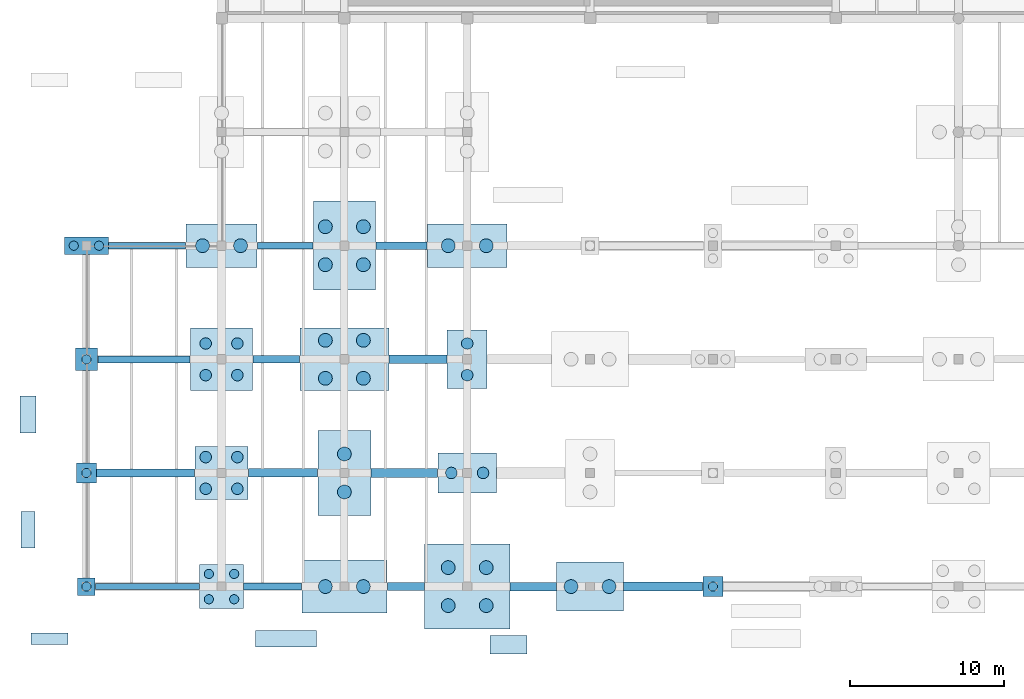
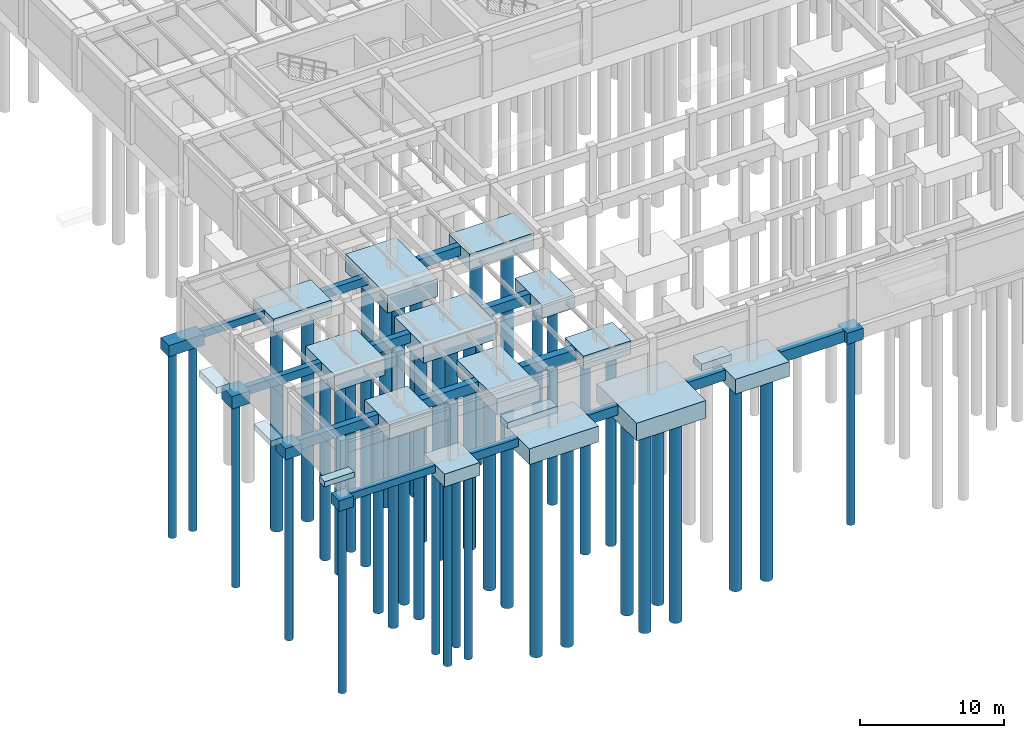
# One storey, part 1 of 40: 44 piles, 37 footings.
"""IFC4 building model written with IfcOpenShell, lengths in metres."""

from ifc_helpers import new_model, si_unit, direction, frame, origin, origin_2d, place, context, subcontext, project, spatial, polyline, rectangle, circle, outline, extrude, material, material_profile, profile_set, type_object, element, save


model = new_model("IFC4")

# Units and contexts
model_context = context("Model", 3, precision=1e-05, world=origin(), true_north=direction((0.0, 1.0)))
body_context = subcontext(model_context, "Body", "Model", "MODEL_VIEW")
ifc_project = project(units=[si_unit("LENGTHUNIT", "METRE"), si_unit("AREAUNIT", "SQUARE_METRE"), si_unit("VOLUMEUNIT", "CUBIC_METRE"), si_unit("PLANEANGLEUNIT", "RADIAN"), si_unit("MASSUNIT", "GRAM", prefix="KILO")], contexts=[model_context])

# Site, building, storey
site_placement = place(None, origin())
site = spatial("IfcSite", under=ifc_project, at=site_placement, CompositionType="ELEMENT")
building_placement = place(site_placement, origin())
building = spatial("IfcBuilding", under=site, at=building_placement, Name="Valkorina Park Police Headquarters", CompositionType="ELEMENT")
storey_placement = place(building_placement, frame((0.0, 0.0, -4.800048828125)))
storey = spatial("IfcBuildingStorey", under=building, at=storey_placement, Name="B01", CompositionType="ELEMENT", Elevation=-4.800048828125)

# Footings
ifc_material_1 = material(Name="Concrete C30/37", Category="concrete")
ifc_material_profile_1 = material_profile(ifc_material_1, rectangle(XDim=0.39990234375, YDim=0.60009765625, at=origin_2d()), Name="GB 400x600")
ifc_profile_set_1 = profile_set([ifc_material_profile_1], Name="Concrete C30/37")
footing_type_1 = type_object("IfcFootingType", Name="FT-GB-01", PredefinedType="FOOTING_BEAM", material=ifc_profile_set_1)
footing_1_placement = place(storey_placement, frame((0.0, 0.0, -0.599853515625)))
element("IfcFooting", 1, at=footing_1_placement, inside=storey, type_object=footing_type_1, Name="Pile Cap Tie Beam GB-01 #1", PredefinedType="FOOTING_BEAM", context=body_context, shape_type="SweptSolid", body=[
    extrude(outline(polyline([(7.35498046875, -0.199951171875), (7.35498046875, 0.199951171875), (0.594970703125, 0.199951171875), (0.594970703125, -0.199951171875), (7.35498046875, -0.199951171875)])), origin(), (0.0, 0.0, 1.0), 0.599853515625),
])
footing_2_placement = place(storey_placement, frame((0.0, 0.0, -0.599853515625)))
element("IfcFooting", 2, at=footing_2_placement, inside=storey, type_object=footing_type_1, Name="Pile Cap Tie Beam GB-01 #31", PredefinedType="FOOTING_BEAM", context=body_context, shape_type="SweptSolid", body=[
    extrude(outline(polyline([(6.455078125, 22.0), (6.455078125, 22.39990234375), (1.445068359375, 22.39990234375), (1.445068359375, 22.0), (6.455078125, 22.0)])), origin(), (0.0, 0.0, 1.0), 0.599853515625),
])
ifc_material_profile_2 = material_profile(ifc_material_1, rectangle(XDim=0.449951171875, YDim=0.699951171875, at=origin_2d()), Name="GB 450x700")
ifc_profile_set_2 = profile_set([ifc_material_profile_2], Name="Concrete C30/37")
footing_type_2 = type_object("IfcFootingType", Name="FT-GB-02", PredefinedType="FOOTING_BEAM", material=ifc_profile_set_2)
footing_3_placement = place(storey_placement, frame((0.0, 0.0, -0.699951171875)))
element("IfcFooting", 3, at=footing_3_placement, inside=storey, type_object=footing_type_2, Name="Pile Cap Tie Beam GB-02 #2", PredefinedType="FOOTING_BEAM", context=body_context, shape_type="SweptSolid", body=[
    extrude(outline(polyline([(14.0048828125, -0.22509765625), (14.0048828125, 0.22509765625), (10.2451171875, 0.22509765625), (10.2451171875, -0.22509765625), (14.0048828125, -0.22509765625)])), origin(), (0.0, 0.0, 1.0), 0.699951171875),
])
footing_4_placement = place(storey_placement, frame((0.0, 0.0, -0.699951171875)))
element("IfcFooting", 4, at=footing_4_placement, inside=storey, type_object=footing_type_2, Name="Pile Cap Tie Beam GB-02 #20", PredefinedType="FOOTING_BEAM", context=body_context, shape_type="SweptSolid", body=[
    extrude(outline(polyline([(6.7548828125, 14.574951171875), (6.7548828125, 15.02490234375), (0.7451171875, 15.02490234375), (0.7451171875, 14.574951171875), (6.7548828125, 14.574951171875)])), origin(), (0.0, 0.0, 1.0), 0.699951171875),
])
footing_5_placement = place(storey_placement, frame((0.0, 0.0, -0.699951171875)))
element("IfcFooting", 5, at=footing_5_placement, inside=storey, type_object=footing_type_2, Name="Pile Cap Tie Beam GB-02 #32", PredefinedType="FOOTING_BEAM", context=body_context, shape_type="SweptSolid", body=[
    extrude(outline(polyline([(14.7548828125, 21.97509765625), (14.7548828125, 22.425048828125), (11.14501953125, 22.425048828125), (11.14501953125, 21.97509765625), (14.7548828125, 21.97509765625)])), origin(), (0.0, 0.0, 1.0), 0.699951171875),
])
ifc_material_profile_3 = material_profile(ifc_material_1, rectangle(XDim=0.5, YDim=0.800048828125, at=origin_2d()), Name="GB 500x800")
ifc_profile_set_3 = profile_set([ifc_material_profile_3], Name="Concrete C30/37")
footing_type_3 = type_object("IfcFootingType", Name="FT-GB-03", PredefinedType="FOOTING_BEAM", material=ifc_profile_set_3)
footing_6_placement = place(storey_placement, frame((0.0, 0.0, -0.800048828125)))
element("IfcFooting", 6, at=footing_6_placement, inside=storey, type_object=footing_type_3, Name="Pile Cap Tie Beam GB-03 #3", PredefinedType="FOOTING_BEAM", context=body_context, shape_type="SweptSolid", body=[
    extrude(outline(polyline([(22.0048828125, -0.25), (22.0048828125, 0.25), (19.594970703125, 0.25), (19.594970703125, -0.25), (22.0048828125, -0.25)])), origin(), (0.0, 0.0, 1.0), 0.800048828125),
])
footing_7_placement = place(storey_placement, frame((0.0, 0.0, -0.800048828125)))
element("IfcFooting", 7, at=footing_7_placement, inside=storey, type_object=footing_type_3, Name="Pile Cap Tie Beam GB-03 #9", PredefinedType="FOOTING_BEAM", context=body_context, shape_type="SweptSolid", body=[
    extrude(outline(polyline([(7.054931640625, 7.14990234375), (7.054931640625, 7.64990234375), (0.669921875, 7.64990234375), (0.669921875, 7.14990234375), (7.054931640625, 7.14990234375)])), origin(), (0.0, 0.0, 1.0), 0.800048828125),
])
footing_8_placement = place(storey_placement, frame((0.0, 0.0, -0.800048828125)))
element("IfcFooting", 8, at=footing_8_placement, inside=storey, type_object=footing_type_3, Name="Pile Cap Tie Beam GB-03 #21", PredefinedType="FOOTING_BEAM", context=body_context, shape_type="SweptSolid", body=[
    extrude(outline(polyline([(13.8798828125, 14.550048828125), (13.8798828125, 15.050048828125), (10.844970703125, 15.050048828125), (10.844970703125, 14.550048828125), (13.8798828125, 14.550048828125)])), origin(), (0.0, 0.0, 1.0), 0.800048828125),
])
footing_9_placement = place(storey_placement, frame((0.0, 0.0, -0.800048828125)))
element("IfcFooting", 9, at=footing_9_placement, inside=storey, type_object=footing_type_3, Name="Pile Cap Tie Beam GB-03 #33", PredefinedType="FOOTING_BEAM", context=body_context, shape_type="SweptSolid", body=[
    extrude(outline(polyline([(22.179931640625, 21.949951171875), (22.179931640625, 22.449951171875), (18.844970703125, 22.449951171875), (18.844970703125, 21.949951171875), (22.179931640625, 21.949951171875)])), origin(), (0.0, 0.0, 1.0), 0.800048828125),
])
ifc_material_2 = material(Name="Concrete C35/45", Category="concrete")
ifc_material_profile_4 = material_profile(ifc_material_2, rectangle(XDim=0.550048828125, YDim=0.85009765625, at=origin_2d()), Name="GB 550x850")
ifc_profile_set_4 = profile_set([ifc_material_profile_4], Name="Concrete C35/45")
footing_type_4 = type_object("IfcFootingType", Name="FT-GB-04", PredefinedType="FOOTING_BEAM", material=ifc_profile_set_4)
footing_10_placement = place(storey_placement, frame((0.0, 0.0, -0.849853515625)))
element("IfcFooting", 10, at=footing_10_placement, inside=storey, type_object=footing_type_4, Name="Pile Cap Tie Beam GB-04 #4", PredefinedType="FOOTING_BEAM", context=body_context, shape_type="SweptSolid", body=[
    extrude(outline(polyline([(30.60498046875, -0.27490234375), (30.60498046875, 0.27490234375), (27.594970703125, 0.27490234375), (27.594970703125, -0.27490234375), (30.60498046875, -0.27490234375)])), origin(), (0.0, 0.0, 1.0), 0.849853515625),
])
footing_11_placement = place(storey_placement, frame((0.0, 0.0, -0.849853515625)))
element("IfcFooting", 11, at=footing_11_placement, inside=storey, type_object=footing_type_4, Name="Pile Cap Tie Beam GB-04 #10", PredefinedType="FOOTING_BEAM", context=body_context, shape_type="SweptSolid", body=[
    extrude(outline(polyline([(15.054931640625, 7.125), (15.054931640625, 7.675048828125), (10.544921875, 7.675048828125), (10.544921875, 7.125), (15.054931640625, 7.125)])), origin(), (0.0, 0.0, 1.0), 0.849853515625),
])
footing_12_placement = place(storey_placement, frame((0.0, 0.0, -0.849853515625)))
element("IfcFooting", 12, at=footing_12_placement, inside=storey, type_object=footing_type_4, Name="Pile Cap Tie Beam GB-04 #22", PredefinedType="FOOTING_BEAM", context=body_context, shape_type="SweptSolid", body=[
    extrude(outline(polyline([(23.47998046875, 14.52490234375), (23.47998046875, 15.074951171875), (19.719970703125, 15.074951171875), (19.719970703125, 14.52490234375), (23.47998046875, 14.52490234375)])), origin(), (0.0, 0.0, 1.0), 0.849853515625),
])
ifc_material_profile_5 = material_profile(ifc_material_2, rectangle(XDim=0.60009765625, YDim=0.949951171875, at=origin_2d()), Name="GB 600x950")
ifc_profile_set_5 = profile_set([ifc_material_profile_5], Name="Concrete C35/45")
footing_type_5 = type_object("IfcFootingType", Name="FT-GB-05", PredefinedType="FOOTING_BEAM", material=ifc_profile_set_5)
footing_13_placement = place(storey_placement, frame((0.0, 0.0, -0.949951171875)))
element("IfcFooting", 13, at=footing_13_placement, inside=storey, type_object=footing_type_5, Name="Pile Cap Tie Beam GB-05 #5", PredefinedType="FOOTING_BEAM", context=body_context, shape_type="SweptSolid", body=[
    extrude(outline(polyline([(40.1298828125, -0.300048828125), (40.1298828125, 0.300048828125), (34.9951171875, 0.300048828125), (34.9951171875, -0.300048828125), (40.1298828125, -0.300048828125)])), origin(), (0.0, 0.0, 1.0), 0.949951171875),
])
footing_14_placement = place(storey_placement, frame((0.0, 0.0, -0.949951171875)))
element("IfcFooting", 14, at=footing_14_placement, inside=storey, type_object=footing_type_5, Name="Pile Cap Tie Beam GB-05 #11", PredefinedType="FOOTING_BEAM", context=body_context, shape_type="SweptSolid", body=[
    extrude(outline(polyline([(22.8798828125, 7.10009765625), (22.8798828125, 7.699951171875), (18.544921875, 7.699951171875), (18.544921875, 7.10009765625), (22.8798828125, 7.10009765625)])), origin(), (0.0, 0.0, 1.0), 0.949951171875),
])
ifc_material_3 = material(Name="Concrete C40/50", Category="concrete")
footing_type_6 = type_object("IfcFootingType", Name="FT-PC-01", PredefinedType="PILE_CAP", material=ifc_material_3)
footing_15_placement = place(storey_placement, frame((0.0, 0.0, -0.89990234375), z_axis=(0.0, 0.0, 1.0), x_axis=(1.0, 0.0, 0.0)))
element("IfcFooting", 15, at=footing_15_placement, inside=storey, type_object=footing_type_6, Name="Pile Cap PC-01 #1", PredefinedType="PILE_CAP", context=body_context, shape_type="SweptSolid", body=[
    extrude(rectangle(XDim=1.14990234375, YDim=1.14990234375, at=origin_2d()), origin(), (0.0, 0.0, 1.0), 0.89990234375),
])
footing_type_7 = type_object("IfcFootingType", Name="FT-PC-02", PredefinedType="PILE_CAP", material=ifc_material_3)
for number, where, z_axis, x_axis, name in (
    (16, (0.0, 7.39990234375, -0.94970703125), (0.0, 0.0, 1.0), (1.0, 0.0, 0.0), "Pile Cap PC-02 #2"),
    (17, (40.800048828125, 0.0, -0.94970703125), (0.0, 0.0, 1.0), (1.0, 0.0, 0.0), "Pile Cap PC-02 #28"),
):
    element("IfcFooting", number, at=place(storey_placement, frame(where, z_axis=z_axis, x_axis=x_axis)), inside=storey, type_object=footing_type_7, Name=name, PredefinedType="PILE_CAP", context=body_context, shape_type="SweptSolid", body=[
        extrude(rectangle(XDim=1.300048828125, YDim=1.300048828125, at=origin_2d()), origin(), (0.0, 0.0, 1.0), 0.949951171875),
    ])
footing_type_8 = type_object("IfcFootingType", Name="FT-PC-03", PredefinedType="PILE_CAP", material=ifc_material_3)
footing_16_placement = place(storey_placement, frame((0.0, 14.800048828125, -1.0498046875), z_axis=(0.0, 0.0, 1.0), x_axis=(1.0, 0.0, 0.0)))
element("IfcFooting", 18, at=footing_16_placement, inside=storey, type_object=footing_type_8, Name="Pile Cap PC-03 #3", PredefinedType="PILE_CAP", context=body_context, shape_type="SweptSolid", body=[
    extrude(rectangle(XDim=1.449951171875, YDim=1.449951171875, at=origin_2d()), origin(), (0.0, 0.0, 1.0), 1.050048828125),
])
footing_type_9 = type_object("IfcFootingType", Name="FT-PC-04", PredefinedType="PILE_CAP", material=ifc_material_3)
footing_17_placement = place(storey_placement, frame((0.0, 22.199951171875, -0.94970703125), z_axis=(0.0, 0.0, 1.0), x_axis=(1.0, 0.0, 0.0)))
element("IfcFooting", 19, at=footing_17_placement, inside=storey, type_object=footing_type_9, Name="Pile Cap PC-04 #4", PredefinedType="PILE_CAP", context=body_context, shape_type="SweptSolid", body=[
    extrude(rectangle(XDim=2.85009765625, YDim=1.14990234375, at=origin_2d()), origin(), (0.0, 0.0, 1.0), 0.949951171875),
])
footing_type_10 = type_object("IfcFootingType", Name="FT-PC-09", PredefinedType="PILE_CAP", material=ifc_material_3)
footing_18_placement = place(storey_placement, frame((8.800048828125, 0.0, -1.10009765625), z_axis=(0.0, 0.0, 1.0), x_axis=(1.0, 0.0, 0.0)))
element("IfcFooting", 20, at=footing_18_placement, inside=storey, type_object=footing_type_10, Name="Pile Cap PC-09 #9", PredefinedType="PILE_CAP", context=body_context, shape_type="SweptSolid", body=[
    extrude(rectangle(XDim=2.85009765625, YDim=2.85009765625, at=origin_2d()), origin(), (0.0, 0.0, 1.0), 1.10009765625),
])
footing_type_11 = type_object("IfcFootingType", Name="FT-PC-10", PredefinedType="PILE_CAP", material=ifc_material_3)
footing_19_placement = place(storey_placement, frame((8.800048828125, 7.39990234375, -1.25), z_axis=(0.0, 0.0, 1.0), x_axis=(1.0, 0.0, 0.0)))
element("IfcFooting", 21, at=footing_19_placement, inside=storey, type_object=footing_type_11, Name="Pile Cap PC-10 #10", PredefinedType="PILE_CAP", context=body_context, shape_type="SweptSolid", body=[
    extrude(rectangle(XDim=3.449951171875, YDim=3.449951171875, at=origin_2d()), origin(), (0.0, 0.0, 1.0), 1.25),
])
footing_type_12 = type_object("IfcFootingType", Name="FT-PC-11", PredefinedType="PILE_CAP", material=ifc_material_3)
footing_20_placement = place(storey_placement, frame((8.800048828125, 14.800048828125, -1.39990234375), z_axis=(0.0, 0.0, 1.0), x_axis=(1.0, 0.0, 0.0)))
element("IfcFooting", 22, at=footing_20_placement, inside=storey, type_object=footing_type_12, Name="Pile Cap PC-11 #11", PredefinedType="PILE_CAP", context=body_context, shape_type="SweptSolid", body=[
    extrude(rectangle(XDim=4.050048828125, YDim=4.050048828125, at=origin_2d()), origin(), (0.0, 0.0, 1.0), 1.39990234375),
])
footing_type_13 = type_object("IfcFootingType", Name="FT-PC-12", PredefinedType="PILE_CAP", material=ifc_material_3)
footing_21_placement = place(storey_placement, frame((8.800048828125, 22.199951171875, -1.19970703125), z_axis=(0.0, 0.0, 1.0), x_axis=(1.0, 0.0, 0.0)))
element("IfcFooting", 23, at=footing_21_placement, inside=storey, type_object=footing_type_13, Name="Pile Cap PC-12 #12", PredefinedType="PILE_CAP", context=body_context, shape_type="SweptSolid", body=[
    extrude(rectangle(XDim=4.64990234375, YDim=2.85009765625, at=origin_2d()), origin(), (0.0, 0.0, 1.0), 1.199951171875),
])
footing_type_14 = type_object("IfcFootingType", Name="FT-PC-14", PredefinedType="PILE_CAP", material=ifc_material_3)
footing_22_placement = place(storey_placement, frame((16.800048828125, 0.0, -1.35009765625), z_axis=(0.0, 0.0, 1.0), x_axis=(1.0, 0.0, 0.0)))
element("IfcFooting", 24, at=footing_22_placement, inside=storey, type_object=footing_type_14, Name="Pile Cap PC-14 #14", PredefinedType="PILE_CAP", context=body_context, shape_type="SweptSolid", body=[
    extrude(rectangle(XDim=5.550048828125, YDim=3.449951171875, at=origin_2d()), origin(), (0.0, 0.0, 1.0), 1.35009765625),
])
footing_type_15 = type_object("IfcFootingType", Name="FT-PC-15", PredefinedType="PILE_CAP", material=ifc_material_3)
footing_23_placement = place(storey_placement, frame((16.800048828125, 7.39990234375, -1.35009765625), z_axis=(0.0, 0.0, 1.0), x_axis=(1.0, 0.0, 0.0)))
element("IfcFooting", 25, at=footing_23_placement, inside=storey, type_object=footing_type_15, Name="Pile Cap PC-15 #15", PredefinedType="PILE_CAP", context=body_context, shape_type="SweptSolid", body=[
    extrude(rectangle(XDim=3.449951171875, YDim=5.550048828125, at=origin_2d()), origin(), (0.0, 0.0, 1.0), 1.35009765625),
])
footing_type_16 = type_object("IfcFootingType", Name="FT-PC-16", PredefinedType="PILE_CAP", material=ifc_material_3)
footing_24_placement = place(storey_placement, frame((16.800048828125, 14.800048828125, -1.5), z_axis=(0.0, 0.0, 1.0), x_axis=(1.0, 0.0, 0.0)))
element("IfcFooting", 26, at=footing_24_placement, inside=storey, type_object=footing_type_16, Name="Pile Cap PC-16 #16", PredefinedType="PILE_CAP", context=body_context, shape_type="SweptSolid", body=[
    extrude(rectangle(XDim=5.800048828125, YDim=4.050048828125, at=origin_2d()), origin(), (0.0, 0.0, 1.0), 1.5),
])
footing_type_17 = type_object("IfcFootingType", Name="FT-PC-17", PredefinedType="PILE_CAP", material=ifc_material_3)
footing_25_placement = place(storey_placement, frame((16.800048828125, 22.199951171875, -1.5), z_axis=(0.0, 0.0, 1.0), x_axis=(1.0, 0.0, 0.0)))
element("IfcFooting", 27, at=footing_25_placement, inside=storey, type_object=footing_type_17, Name="Pile Cap PC-17 #17", PredefinedType="PILE_CAP", context=body_context, shape_type="SweptSolid", body=[
    extrude(rectangle(XDim=4.050048828125, YDim=5.800048828125, at=origin_2d()), origin(), (0.0, 0.0, 1.0), 1.5),
])
footing_type_18 = type_object("IfcFootingType", Name="FT-PC-19", PredefinedType="PILE_CAP", material=ifc_material_3)
footing_26_placement = place(storey_placement, frame((24.800048828125, 0.0, -1.5), z_axis=(0.0, 0.0, 1.0), x_axis=(1.0, 0.0, 0.0)))
element("IfcFooting", 28, at=footing_26_placement, inside=storey, type_object=footing_type_18, Name="Pile Cap PC-19 #19", PredefinedType="PILE_CAP", context=body_context, shape_type="SweptSolid", body=[
    extrude(rectangle(XDim=5.550048828125, YDim=5.550048828125, at=origin_2d()), origin(), (0.0, 0.0, 1.0), 1.5),
])
footing_type_19 = type_object("IfcFootingType", Name="FT-PC-20", PredefinedType="PILE_CAP", material=ifc_material_3)
footing_27_placement = place(storey_placement, frame((24.800048828125, 7.39990234375, -1.14990234375), z_axis=(0.0, 0.0, 1.0), x_axis=(1.0, 0.0, 0.0)))
element("IfcFooting", 29, at=footing_27_placement, inside=storey, type_object=footing_type_19, Name="Pile Cap PC-20 #20", PredefinedType="PILE_CAP", context=body_context, shape_type="SweptSolid", body=[
    extrude(rectangle(XDim=3.800048828125, YDim=2.60009765625, at=origin_2d()), origin(), (0.0, 0.0, 1.0), 1.14990234375),
])
footing_type_20 = type_object("IfcFootingType", Name="FT-PC-21", PredefinedType="PILE_CAP", material=ifc_material_3)
footing_28_placement = place(storey_placement, frame((24.800048828125, 14.800048828125, -1.14990234375), z_axis=(0.0, 0.0, 1.0), x_axis=(1.0, 0.0, 0.0)))
element("IfcFooting", 30, at=footing_28_placement, inside=storey, type_object=footing_type_20, Name="Pile Cap PC-21 #21", PredefinedType="PILE_CAP", context=body_context, shape_type="SweptSolid", body=[
    extrude(rectangle(XDim=2.60009765625, YDim=3.800048828125, at=origin_2d()), origin(), (0.0, 0.0, 1.0), 1.14990234375),
])
footing_type_21 = type_object("IfcFootingType", Name="FT-PC-22", PredefinedType="PILE_CAP", material=ifc_material_3)
footing_29_placement = place(storey_placement, frame((24.800048828125, 22.199951171875, -1.2998046875), z_axis=(0.0, 0.0, 1.0), x_axis=(1.0, 0.0, 0.0)))
element("IfcFooting", 31, at=footing_29_placement, inside=storey, type_object=footing_type_21, Name="Pile Cap PC-22 #22", PredefinedType="PILE_CAP", context=body_context, shape_type="SweptSolid", body=[
    extrude(rectangle(XDim=5.199951171875, YDim=2.85009765625, at=origin_2d()), origin(), (0.0, 0.0, 1.0), 1.300048828125),
])
footing_type_22 = type_object("IfcFootingType", Name="FT-PC-24", PredefinedType="PILE_CAP", material=ifc_material_3)
footing_30_placement = place(storey_placement, frame((32.800048828125, 0.0, -1.25), z_axis=(0.0, 0.0, 1.0), x_axis=(1.0, 0.0, 0.0)))
element("IfcFooting", 32, at=footing_30_placement, inside=storey, type_object=footing_type_22, Name="Pile Cap PC-24 #24", PredefinedType="PILE_CAP", context=body_context, shape_type="SweptSolid", body=[
    extrude(rectangle(XDim=4.35009765625, YDim=3.199951171875, at=origin_2d()), origin(), (0.0, 0.0, 1.0), 1.25),
])
ifc_material_profile_6 = material_profile(ifc_material_2, rectangle(XDim=0.75, YDim=0.449951171875, at=origin_2d()), Name="SF 750x450")
ifc_profile_set_6 = profile_set([ifc_material_profile_6], Name="Concrete C35/45")
footing_type_23 = type_object("IfcFootingType", Name="FT-SF-01", PredefinedType="STRIP_FOOTING", material=ifc_profile_set_6)
footing_31_placement = place(storey_placement, frame((0.0, 0.0, 4.170166015625)))
element("IfcFooting", 33, at=footing_31_placement, inside=storey, type_object=footing_type_23, Name="Grade Apron Strip Footing SF-01 #1", PredefinedType="STRIP_FOOTING", context=body_context, shape_type="SweptSolid", body=[
    extrude(outline(polyline([(-1.199951171875, -3.77490234375), (-1.199951171875, -3.02490234375), (-3.60009765625, -3.02490234375), (-3.60009765625, -3.77490234375), (-1.199951171875, -3.77490234375)])), origin(), (0.0, 0.0, 1.0), 0.449951171875),
])
ifc_material_profile_7 = material_profile(ifc_material_2, rectangle(XDim=0.89990234375, YDim=0.5, at=origin_2d()), Name="SF 900x500")
ifc_profile_set_7 = profile_set([ifc_material_profile_7], Name="Concrete C35/45")
footing_type_24 = type_object("IfcFootingType", Name="FT-SF-02", PredefinedType="STRIP_FOOTING", material=ifc_profile_set_7)
footing_32_placement = place(storey_placement, frame((0.0, 0.0, 4.010009765625)))
element("IfcFooting", 34, at=footing_32_placement, inside=storey, type_object=footing_type_24, Name="Ramp Bearing Strip Footing SF-02 #30", PredefinedType="STRIP_FOOTING", context=body_context, shape_type="SweptSolid", body=[
    extrude(outline(polyline([(-3.35009765625, 2.5), (-3.35009765625, 4.89990234375), (-4.25, 4.89990234375), (-4.25, 2.5), (-3.35009765625, 2.5)])), origin(), (0.0, 0.0, 1.0), 0.5),
])
ifc_material_profile_8 = material_profile(ifc_material_2, rectangle(XDim=1.050048828125, YDim=0.550048828125, at=origin_2d()), Name="SF 1050x550")
ifc_profile_set_8 = profile_set([ifc_material_profile_8], Name="Concrete C35/45")
footing_type_25 = type_object("IfcFootingType", Name="FT-SF-03", PredefinedType="STRIP_FOOTING", material=ifc_profile_set_8)
footing_33_placement = place(storey_placement, frame((0.0, 0.0, 4.070068359375)))
element("IfcFooting", 35, at=footing_33_placement, inside=storey, type_object=footing_type_25, Name="Grade Apron Strip Footing SF-03 #7", PredefinedType="STRIP_FOOTING", context=body_context, shape_type="SweptSolid", body=[
    extrude(outline(polyline([(15.0, -3.925048828125), (15.0, -2.875), (11.0, -2.875), (11.0, -3.925048828125), (15.0, -3.925048828125)])), origin(), (0.0, 0.0, 1.0), 0.550048828125),
])
footing_34_placement = place(storey_placement, frame((0.0, 0.0, 3.9599609375)))
element("IfcFooting", 36, at=footing_34_placement, inside=storey, type_object=footing_type_25, Name="Ramp Bearing Strip Footing SF-03 #31", PredefinedType="STRIP_FOOTING", context=body_context, shape_type="SweptSolid", body=[
    extrude(outline(polyline([(-3.27490234375, 10.0), (-3.27490234375, 12.39990234375), (-4.324951171875, 12.39990234375), (-4.324951171875, 10.0), (-3.27490234375, 10.0)])), origin(), (0.0, 0.0, 1.0), 0.550048828125),
])
ifc_material_profile_9 = material_profile(ifc_material_2, rectangle(XDim=1.199951171875, YDim=0.60009765625, at=origin_2d()), Name="SF 1200x600")
ifc_profile_set_9 = profile_set([ifc_material_profile_9], Name="Concrete C35/45")
footing_type_26 = type_object("IfcFootingType", Name="FT-SF-04", PredefinedType="STRIP_FOOTING", material=ifc_profile_set_9)
footing_35_placement = place(storey_placement, frame((0.0, 0.0, 3.91015625)))
element("IfcFooting", 37, at=footing_35_placement, inside=storey, type_object=footing_type_26, Name="Ramp Bearing Strip Footing SF-04 #32", PredefinedType="STRIP_FOOTING", context=body_context, shape_type="SweptSolid", body=[
    extrude(outline(polyline([(28.699951171875, -4.39990234375), (28.699951171875, -3.199951171875), (26.300048828125, -3.199951171875), (26.300048828125, -4.39990234375), (28.699951171875, -4.39990234375)])), origin(), (0.0, 0.0, 1.0), 0.599853515625),
])

# Piles
ifc_material_profile_10 = material_profile(ifc_material_1, circle(Radius=0.300048828125, at=origin_2d()), Name="BORED PILE D600")
ifc_profile_set_10 = profile_set([ifc_material_profile_10], Name="Concrete C30/37")
pile_type_1 = type_object("IfcPileType", Name="PL-BORED-D600", PredefinedType="BORED", material=ifc_profile_set_10)
pile_1_placement = place(storey_placement, frame((0.0, 0.0, -0.75), z_axis=(0.0, 0.0, -1.0), x_axis=(1.0, 0.0, 0.0)))
element("IfcPile", 38, at=pile_1_placement, inside=storey, type_object=pile_type_1, Name="Bored Pile 0355 (Cap PC-01)", PredefinedType="BORED", context=body_context, shape_type="SweptSolid", body=[
    extrude(circle(Radius=0.300048828125, at=origin_2d()), origin(), (0.0, 0.0, 1.0), 15.949951171875),
])
pile_2_placement = place(storey_placement, frame((0.0, 7.39990234375, -0.800048828125), z_axis=(0.0, 0.0, -1.0), x_axis=(1.0, 0.0, 0.0)))
element("IfcPile", 39, at=pile_2_placement, inside=storey, type_object=pile_type_1, Name="Bored Pile 0356 (Cap PC-02)", PredefinedType="BORED", context=body_context, shape_type="SweptSolid", body=[
    extrude(circle(Radius=0.300048828125, at=origin_2d()), origin(), (0.0, 0.0, 1.0), 15.89990234375),
])
pile_3_placement = place(storey_placement, frame((0.0, 14.800048828125, -0.89990234375), z_axis=(0.0, 0.0, -1.0), x_axis=(1.0, 0.0, 0.0)))
element("IfcPile", 40, at=pile_3_placement, inside=storey, type_object=pile_type_1, Name="Bored Pile 0357 (Cap PC-03)", PredefinedType="BORED", context=body_context, shape_type="SweptSolid", body=[
    extrude(circle(Radius=0.300048828125, at=origin_2d()), origin(), (0.0, 0.0, 1.0), 15.800048828125),
])
for number, where, z_axis, x_axis, name in (
    (41, (-0.824951171875, 22.199951171875, -0.800048828125), (0.0, 0.0, -1.0), (1.0, 0.0, 0.0), "Bored Pile 0358 (Cap PC-04)"),
    (42, (0.824951171875, 22.199951171875, -0.800048828125), (0.0, 0.0, -1.0), (1.0, 0.0, 0.0), "Bored Pile 0359 (Cap PC-04)"),
):
    element("IfcPile", number, at=place(storey_placement, frame(where, z_axis=z_axis, x_axis=x_axis)), inside=storey, type_object=pile_type_1, Name=name, PredefinedType="BORED", context=body_context, shape_type="SweptSolid", body=[
        extrude(circle(Radius=0.300048828125, at=origin_2d()), origin(), (0.0, 0.0, 1.0), 15.89990234375),
    ])
for number, where, z_axis, x_axis, name in (
    (43, (7.97509765625, -0.824951171875, -0.949951171875), (0.0, 0.0, -1.0), (1.0, 0.0, 0.0), "Bored Pile 0368 (Cap PC-09)"),
    (44, (7.97509765625, 0.824951171875, -0.949951171875), (0.0, 0.0, -1.0), (1.0, 0.0, 0.0), "Bored Pile 0369 (Cap PC-09)"),
    (45, (9.625, -0.824951171875, -0.949951171875), (0.0, 0.0, -1.0), (1.0, 0.0, 0.0), "Bored Pile 0370 (Cap PC-09)"),
    (46, (9.625, 0.824951171875, -0.949951171875), (0.0, 0.0, -1.0), (1.0, 0.0, 0.0), "Bored Pile 0371 (Cap PC-09)"),
):
    element("IfcPile", number, at=place(storey_placement, frame(where, z_axis=z_axis, x_axis=x_axis)), inside=storey, type_object=pile_type_1, Name=name, PredefinedType="BORED", context=body_context, shape_type="SweptSolid", body=[
        extrude(circle(Radius=0.300048828125, at=origin_2d()), origin(), (0.0, 0.0, 1.0), 15.75),
    ])
pile_4_placement = place(storey_placement, frame((40.800048828125, 0.0, -0.800048828125), z_axis=(0.0, 0.0, -1.0), x_axis=(1.0, 0.0, 0.0)))
element("IfcPile", 47, at=pile_4_placement, inside=storey, type_object=pile_type_1, Name="Bored Pile 0419 (Cap PC-02)", PredefinedType="BORED", context=body_context, shape_type="SweptSolid", body=[
    extrude(circle(Radius=0.300048828125, at=origin_2d()), origin(), (0.0, 0.0, 1.0), 15.89990234375),
])
ifc_material_profile_11 = material_profile(ifc_material_1, circle(Radius=0.375, at=origin_2d()), Name="BORED PILE D750")
ifc_profile_set_11 = profile_set([ifc_material_profile_11], Name="Concrete C30/37")
pile_type_2 = type_object("IfcPileType", Name="PL-BORED-D750", PredefinedType="BORED", material=ifc_profile_set_11)
for number, where, z_axis, x_axis, name in (
    (48, (7.768798828125, 6.368896484375, -1.099853515625), (0.0, 0.0, -1.0), (1.0, 0.0, 0.0), "Bored Pile 0372 (Cap PC-10)"),
    (49, (7.768798828125, 8.431396484375, -1.099853515625), (0.0, 0.0, -1.0), (1.0, 0.0, 0.0), "Bored Pile 0373 (Cap PC-10)"),
    (50, (9.831298828125, 6.368896484375, -1.099853515625), (0.0, 0.0, -1.0), (1.0, 0.0, 0.0), "Bored Pile 0374 (Cap PC-10)"),
    (51, (9.831298828125, 8.431396484375, -1.099853515625), (0.0, 0.0, -1.0), (1.0, 0.0, 0.0), "Bored Pile 0375 (Cap PC-10)"),
):
    element("IfcPile", number, at=place(storey_placement, frame(where, z_axis=z_axis, x_axis=x_axis)), inside=storey, type_object=pile_type_2, Name=name, PredefinedType="BORED", context=body_context, shape_type="SweptSolid", body=[
        extrude(circle(Radius=0.375, at=origin_2d()), origin(), (0.0, 0.0, 1.0), 16.60009765625),
    ])
for number, where, z_axis, x_axis, name in (
    (52, (7.768798828125, 13.768798828125, -1.25), (0.0, 0.0, -1.0), (1.0, 0.0, 0.0), "Bored Pile 0376 (Cap PC-11)"),
    (53, (7.768798828125, 15.831298828125, -1.25), (0.0, 0.0, -1.0), (1.0, 0.0, 0.0), "Bored Pile 0377 (Cap PC-11)"),
    (54, (9.831298828125, 13.768798828125, -1.25), (0.0, 0.0, -1.0), (1.0, 0.0, 0.0), "Bored Pile 0378 (Cap PC-11)"),
    (55, (9.831298828125, 15.831298828125, -1.25), (0.0, 0.0, -1.0), (1.0, 0.0, 0.0), "Bored Pile 0379 (Cap PC-11)"),
):
    element("IfcPile", number, at=place(storey_placement, frame(where, z_axis=z_axis, x_axis=x_axis)), inside=storey, type_object=pile_type_2, Name=name, PredefinedType="BORED", context=body_context, shape_type="SweptSolid", body=[
        extrude(circle(Radius=0.375, at=origin_2d()), origin(), (0.0, 0.0, 1.0), 16.449951171875),
    ])
for number, where, z_axis, x_axis, name in (
    (56, (23.768798828125, 7.39990234375, -1.0), (0.0, 0.0, -1.0), (1.0, 0.0, 0.0), "Bored Pile 0404 (Cap PC-20)"),
    (57, (25.831298828125, 7.39990234375, -1.0), (0.0, 0.0, -1.0), (1.0, 0.0, 0.0), "Bored Pile 0405 (Cap PC-20)"),
    (58, (24.800048828125, 13.768798828125, -1.0), (0.0, 0.0, -1.0), (1.0, 0.0, 0.0), "Bored Pile 0406 (Cap PC-21)"),
    (59, (24.800048828125, 15.831298828125, -1.0), (0.0, 0.0, -1.0), (1.0, 0.0, 0.0), "Bored Pile 0407 (Cap PC-21)"),
):
    element("IfcPile", number, at=place(storey_placement, frame(where, z_axis=z_axis, x_axis=x_axis)), inside=storey, type_object=pile_type_2, Name=name, PredefinedType="BORED", context=body_context, shape_type="SweptSolid", body=[
        extrude(circle(Radius=0.375, at=origin_2d()), origin(), (0.0, 0.0, 1.0), 16.699951171875),
    ])
ifc_material_profile_12 = material_profile(ifc_material_2, circle(Radius=0.449951171875, at=origin_2d()), Name="BORED PILE D900")
ifc_profile_set_12 = profile_set([ifc_material_profile_12], Name="Concrete C35/45")
pile_type_3 = type_object("IfcPileType", Name="PL-BORED-D900", PredefinedType="BORED", material=ifc_profile_set_12)
for number, where, z_axis, x_axis, name in (
    (60, (7.5625, 22.199951171875, -1.050048828125), (0.0, 0.0, -1.0), (1.0, 0.0, 0.0), "Bored Pile 0380 (Cap PC-12)"),
    (61, (10.03759765625, 22.199951171875, -1.050048828125), (0.0, 0.0, -1.0), (1.0, 0.0, 0.0), "Bored Pile 0381 (Cap PC-12)"),
):
    element("IfcPile", number, at=place(storey_placement, frame(where, z_axis=z_axis, x_axis=x_axis)), inside=storey, type_object=pile_type_3, Name=name, PredefinedType="BORED", context=body_context, shape_type="SweptSolid", body=[
        extrude(circle(Radius=0.449951171875, at=origin_2d()), origin(), (0.0, 0.0, 1.0), 17.949951171875),
    ])
for number, where, z_axis, x_axis, name in (
    (62, (15.5625, 0.0, -1.199951171875), (0.0, 0.0, -1.0), (1.0, 0.0, 0.0), "Bored Pile 0384 (Cap PC-14)"),
    (63, (18.03759765625, 0.0, -1.199951171875), (0.0, 0.0, -1.0), (1.0, 0.0, 0.0), "Bored Pile 0385 (Cap PC-14)"),
    (64, (16.800048828125, 6.16259765625, -1.199951171875), (0.0, 0.0, -1.0), (1.0, 0.0, 0.0), "Bored Pile 0386 (Cap PC-15)"),
    (65, (16.800048828125, 8.637451171875, -1.199951171875), (0.0, 0.0, -1.0), (1.0, 0.0, 0.0), "Bored Pile 0387 (Cap PC-15)"),
):
    element("IfcPile", number, at=place(storey_placement, frame(where, z_axis=z_axis, x_axis=x_axis)), inside=storey, type_object=pile_type_3, Name=name, PredefinedType="BORED", context=body_context, shape_type="SweptSolid", body=[
        extrude(circle(Radius=0.449951171875, at=origin_2d()), origin(), (0.0, 0.0, 1.0), 17.800048828125),
    ])
for number, where, z_axis, x_axis, name in (
    (66, (15.5625, 13.5625, -1.349853515625), (0.0, 0.0, -1.0), (1.0, 0.0, 0.0), "Bored Pile 0388 (Cap PC-16)"),
    (67, (15.5625, 16.03759765625, -1.349853515625), (0.0, 0.0, -1.0), (1.0, 0.0, 0.0), "Bored Pile 0389 (Cap PC-16)"),
    (68, (18.03759765625, 13.5625, -1.349853515625), (0.0, 0.0, -1.0), (1.0, 0.0, 0.0), "Bored Pile 0390 (Cap PC-16)"),
    (69, (18.03759765625, 16.03759765625, -1.349853515625), (0.0, 0.0, -1.0), (1.0, 0.0, 0.0), "Bored Pile 0391 (Cap PC-16)"),
    (70, (15.5625, 20.96240234375, -1.349853515625), (0.0, 0.0, -1.0), (1.0, 0.0, 0.0), "Bored Pile 0392 (Cap PC-17)"),
    (71, (15.5625, 23.4375, -1.349853515625), (0.0, 0.0, -1.0), (1.0, 0.0, 0.0), "Bored Pile 0393 (Cap PC-17)"),
    (72, (18.03759765625, 20.96240234375, -1.349853515625), (0.0, 0.0, -1.0), (1.0, 0.0, 0.0), "Bored Pile 0394 (Cap PC-17)"),
    (73, (18.03759765625, 23.4375, -1.349853515625), (0.0, 0.0, -1.0), (1.0, 0.0, 0.0), "Bored Pile 0395 (Cap PC-17)"),
    (74, (23.5625, -1.237548828125, -1.349853515625), (0.0, 0.0, -1.0), (1.0, 0.0, 0.0), "Bored Pile 0400 (Cap PC-19)"),
    (75, (23.5625, 1.237548828125, -1.349853515625), (0.0, 0.0, -1.0), (1.0, 0.0, 0.0), "Bored Pile 0401 (Cap PC-19)"),
    (76, (26.03759765625, -1.237548828125, -1.349853515625), (0.0, 0.0, -1.0), (1.0, 0.0, 0.0), "Bored Pile 0402 (Cap PC-19)"),
    (77, (26.03759765625, 1.237548828125, -1.349853515625), (0.0, 0.0, -1.0), (1.0, 0.0, 0.0), "Bored Pile 0403 (Cap PC-19)"),
):
    element("IfcPile", number, at=place(storey_placement, frame(where, z_axis=z_axis, x_axis=x_axis)), inside=storey, type_object=pile_type_3, Name=name, PredefinedType="BORED", context=body_context, shape_type="SweptSolid", body=[
        extrude(circle(Radius=0.449951171875, at=origin_2d()), origin(), (0.0, 0.0, 1.0), 17.64990234375),
    ])
for number, where, z_axis, x_axis, name in (
    (78, (23.5625, 22.199951171875, -1.14990234375), (0.0, 0.0, -1.0), (1.0, 0.0, 0.0), "Bored Pile 0408 (Cap PC-22)"),
    (79, (26.03759765625, 22.199951171875, -1.14990234375), (0.0, 0.0, -1.0), (1.0, 0.0, 0.0), "Bored Pile 0409 (Cap PC-22)"),
):
    element("IfcPile", number, at=place(storey_placement, frame(where, z_axis=z_axis, x_axis=x_axis)), inside=storey, type_object=pile_type_3, Name=name, PredefinedType="BORED", context=body_context, shape_type="SweptSolid", body=[
        extrude(circle(Radius=0.449951171875, at=origin_2d()), origin(), (0.0, 0.0, 1.0), 17.85009765625),
    ])
for number, where, z_axis, x_axis, name in (
    (80, (31.5625, 0.0, -1.099853515625), (0.0, 0.0, -1.0), (1.0, 0.0, 0.0), "Bored Pile 0412 (Cap PC-24)"),
    (81, (34.03759765625, 0.0, -1.099853515625), (0.0, 0.0, -1.0), (1.0, 0.0, 0.0), "Bored Pile 0413 (Cap PC-24)"),
):
    element("IfcPile", number, at=place(storey_placement, frame(where, z_axis=z_axis, x_axis=x_axis)), inside=storey, type_object=pile_type_3, Name=name, PredefinedType="BORED", context=body_context, shape_type="SweptSolid", body=[
        extrude(circle(Radius=0.449951171875, at=origin_2d()), origin(), (0.0, 0.0, 1.0), 17.89990234375),
    ])

save(model, "model.ifc")
